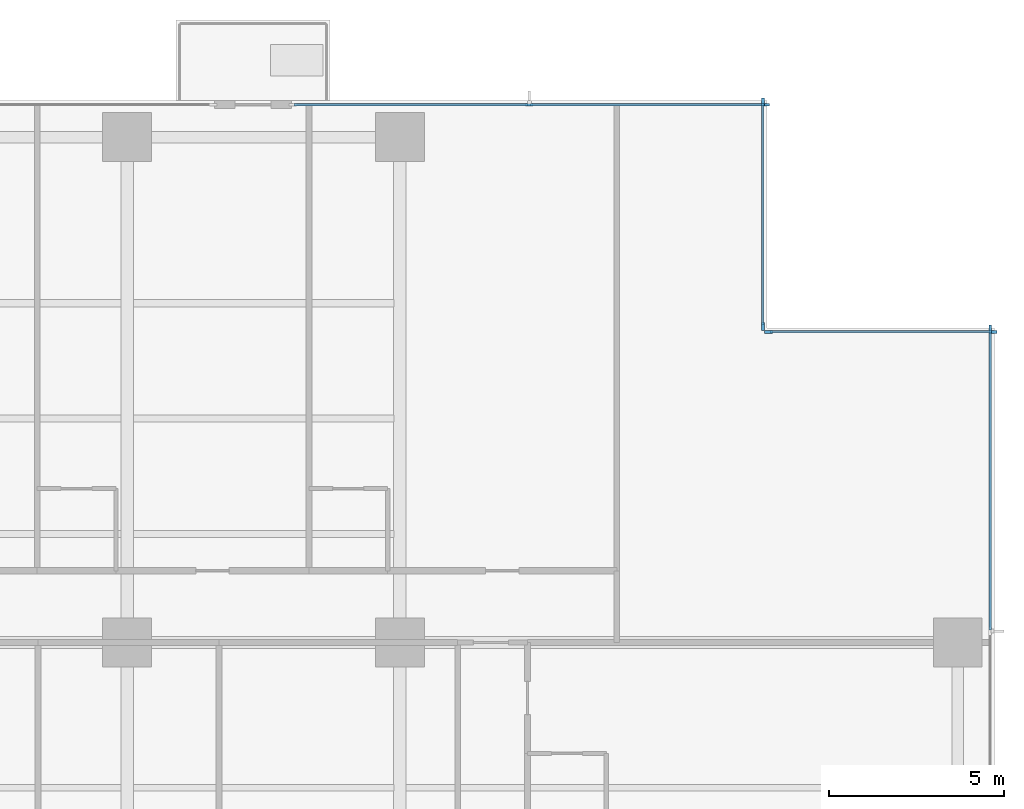
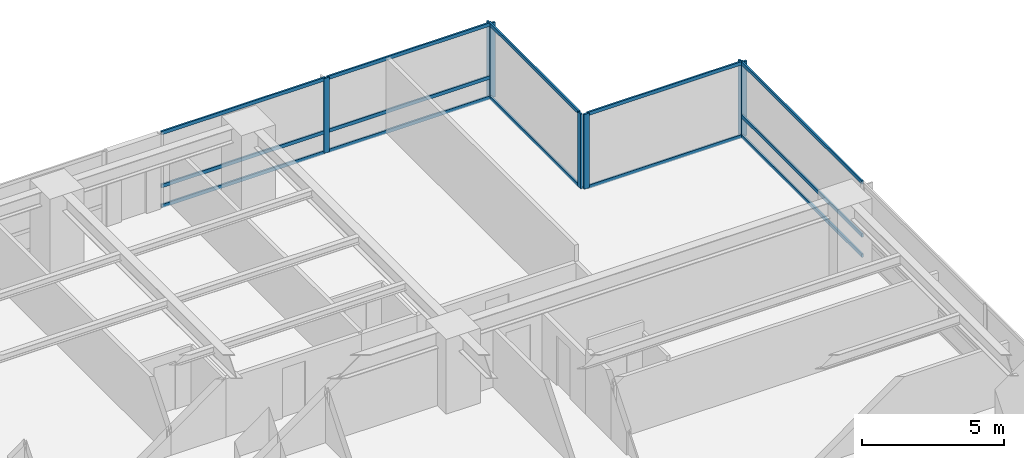
# One storey, part 5 of 17: 20 members, 4 elements without a shape of their own.
"""IFC4 building model written with IfcOpenShell, lengths in metres."""

from ifc_helpers import new_model, si_unit, direction, frame, origin, origin_2d, place, context, subcontext, project, spatial, rectangle, extrude, material, layer, layer_set, material_profile, profile_set, type_object, element, aggregate, save


model = new_model("IFC4")

# Units and contexts
model_context = context("Model", 3, precision=1e-05, world=origin(), true_north=direction((0.0, 1.0)))
body_context = subcontext(model_context, "Body", "Model", "MODEL_VIEW")
ifc_project = project(units=[si_unit("LENGTHUNIT", "METRE"), si_unit("AREAUNIT", "SQUARE_METRE"), si_unit("VOLUMEUNIT", "CUBIC_METRE"), si_unit("PLANEANGLEUNIT", "RADIAN"), si_unit("MASSUNIT", "GRAM", prefix="KILO")], contexts=[model_context])

# Site, building, storey
site_placement = place(None, origin())
site = spatial("IfcSite", under=ifc_project, at=site_placement, CompositionType="ELEMENT")
building_placement = place(site_placement, origin())
building = spatial("IfcBuilding", under=site, at=building_placement, Name="Qalmaran Belvedere Hotel", CompositionType="ELEMENT")
storey_placement = place(building_placement, frame((0.0, 0.0, 40.39990234375)))
storey = spatial("IfcBuildingStorey", under=building, at=storey_placement, Name="L09", CompositionType="ELEMENT", Elevation=40.39990234375)

# Curtain wall, member
ifc_material = material(Name="Anodised Bronze Aluminium", Category="aluminium")
ifc_layer = layer(ifc_material, 0.2099609375, Name="Anodised Bronze Aluminium")
ifc_layer_set = layer_set([ifc_layer], Name="Anodised Bronze Aluminium")
curtain_wall_type = type_object("IfcCurtainWallType", Name="CW2-TOWER-LOWER", PredefinedType="NOTDEFINED", material=ifc_layer_set)
curtain_wall_1_placement = place(storey_placement, origin())
curtain_wall_1 = element("IfcCurtainWall", 1, at=curtain_wall_1_placement, inside=storey, type_object=curtain_wall_type, Name="L09 Curtain Wall CW2", PredefinedType="NOTDEFINED")
ifc_material_profile_1 = material_profile(ifc_material, rectangle(XDim=0.074951171875, YDim=0.219970703125, at=origin_2d()), Name="CWM75X220")
ifc_profile_set_1 = profile_set([ifc_material_profile_1], Name="Anodised Bronze Aluminium")
member_type_1 = type_object("IfcMemberType", Name="CWM-75X220", PredefinedType="MULLION", material=ifc_profile_set_1)
member_1_placement = place(storey_placement, frame((61.679931640625, 41.96240234375, 0.0), z_axis=(0.0, 0.0, 1.0), x_axis=(-1.0, 0.0, 0.0)))
member_1 = element("IfcMember", 2, at=member_1_placement, type_object=member_type_1, Name="CW2 mullion 5", PredefinedType="MULLION", context=body_context, shape_type="SweptSolid", body=[
    extrude(rectangle(XDim=0.074951171875, YDim=0.219970703125, at=origin_2d()), origin(), (0.0, 0.0, 1.0), 3.22021484375),
])

# Curtain wall, members
curtain_wall_2_placement = place(storey_placement, origin())
curtain_wall_2 = element("IfcCurtainWall", 3, at=curtain_wall_2_placement, inside=storey, type_object=curtain_wall_type, Name="L09 Curtain Wall CW2", PredefinedType="NOTDEFINED")
member_2_placement = place(storey_placement, frame((61.762451171875, 41.8798828125, 0.0), z_axis=(0.0, 0.0, 1.0), x_axis=(0.0, -1.0, 0.0)))
member_2 = element("IfcMember", 4, at=member_2_placement, type_object=member_type_1, Name="CW2 mullion 1", PredefinedType="MULLION", context=body_context, shape_type="SweptSolid", body=[
    extrude(rectangle(XDim=0.074951171875, YDim=0.219970703125, at=origin_2d()), origin(), (0.0, 0.0, 1.0), 3.22021484375),
])
member_3_placement = place(storey_placement, frame((55.33740234375, 41.8798828125, 0.0), z_axis=(0.0, 0.0, 1.0), x_axis=(0.0, -1.0, 0.0)))
member_3 = element("IfcMember", 5, at=member_3_placement, type_object=member_type_1, Name="CW2 mullion 2", PredefinedType="MULLION", context=body_context, shape_type="SweptSolid", body=[
    extrude(rectangle(XDim=0.074951171875, YDim=0.219970703125, at=origin_2d()), origin(), (0.0, 0.0, 1.0), 3.22021484375),
])

curtain_wall_3_placement = place(storey_placement, origin())
curtain_wall_3 = element("IfcCurtainWall", 6, at=curtain_wall_3_placement, inside=storey, type_object=curtain_wall_type, Name="L09 Curtain Wall CW2", PredefinedType="NOTDEFINED")
member_4_placement = place(storey_placement, frame((55.179931640625, 42.03759765625, 0.0), z_axis=(0.0, 0.0, 1.0), x_axis=(-1.0, 0.0, 0.0)))
member_4 = element("IfcMember", 7, at=member_4_placement, type_object=member_type_1, Name="CW2 mullion 1", PredefinedType="MULLION", context=body_context, shape_type="SweptSolid", body=[
    extrude(rectangle(XDim=0.074951171875, YDim=0.219970703125, at=origin_2d()), origin(), (0.0, 0.0, 1.0), 3.22021484375),
])
member_5_placement = place(storey_placement, frame((55.179931640625, 48.46240234375, 0.0), z_axis=(0.0, 0.0, 1.0), x_axis=(-1.0, 0.0, 0.0)))
member_5 = element("IfcMember", 8, at=member_5_placement, type_object=member_type_1, Name="CW2 mullion 2", PredefinedType="MULLION", context=body_context, shape_type="SweptSolid", body=[
    extrude(rectangle(XDim=0.074951171875, YDim=0.219970703125, at=origin_2d()), origin(), (0.0, 0.0, 1.0), 3.22021484375),
])

curtain_wall_4_placement = place(storey_placement, origin())
curtain_wall_4 = element("IfcCurtainWall", 9, at=curtain_wall_4_placement, inside=storey, type_object=curtain_wall_type, Name="L09 Curtain Wall CW2", PredefinedType="NOTDEFINED")
member_6_placement = place(storey_placement, frame((55.262451171875, 48.3798828125, 0.0), z_axis=(0.0, 0.0, 1.0), x_axis=(0.0, -1.0, 0.0)))
member_6 = element("IfcMember", 10, at=member_6_placement, type_object=member_type_1, Name="CW2 mullion 1", PredefinedType="MULLION", context=body_context, shape_type="SweptSolid", body=[
    extrude(rectangle(XDim=0.074951171875, YDim=0.219970703125, at=origin_2d()), origin(), (0.0, 0.0, 1.0), 3.22021484375),
])
member_7_placement = place(storey_placement, frame((48.5, 48.3798828125, 0.0), z_axis=(0.0, 0.0, 1.0), x_axis=(0.0, -1.0, 0.0)))
member_7 = element("IfcMember", 11, at=member_7_placement, type_object=member_type_1, Name="CW2 mullion 2", PredefinedType="MULLION", context=body_context, shape_type="SweptSolid", body=[
    extrude(rectangle(XDim=0.074951171875, YDim=0.219970703125, at=origin_2d()), origin(), (0.0, 0.0, 1.0), 3.22021484375),
])

# Member
ifc_material_profile_2 = material_profile(ifc_material, rectangle(XDim=0.070068359375, YDim=0.14990234375, at=origin_2d()), Name="CWT70X150")
ifc_profile_set_2 = profile_set([ifc_material_profile_2], Name="Anodised Bronze Aluminium")
member_type_2 = type_object("IfcMemberType", Name="CWT-70X150", PredefinedType="USERDEFINED", material=ifc_profile_set_2)
member_8_placement = place(storey_placement, frame((61.679931640625, 33.362548828125, 0.03515625), z_axis=(0.0, 1.0, 0.0), x_axis=(-1.0, 0.0, 0.0)))
member_8 = element("IfcMember", 12, at=member_8_placement, type_object=member_type_2, Name="CW2 transom 4.1", ObjectType="TRANSOM", PredefinedType="USERDEFINED", context=body_context, shape_type="SweptSolid", body=[
    extrude(rectangle(XDim=0.070068359375, YDim=0.14990234375, at=origin_2d()), origin(), (0.0, 0.0, 1.0), 8.5625),
])

member_9_placement = place(storey_placement, frame((61.679931640625, 33.362548828125, 0.901611328125), z_axis=(0.0, 1.0, 0.0), x_axis=(-1.0, 0.0, 0.0)))
member_9 = element("IfcMember", 13, at=member_9_placement, type_object=member_type_2, Name="CW2 transom 4.2", ObjectType="TRANSOM", PredefinedType="USERDEFINED", context=body_context, shape_type="SweptSolid", body=[
    extrude(rectangle(XDim=0.070068359375, YDim=0.14990234375, at=origin_2d()), origin(), (0.0, 0.0, 1.0), 8.5625),
])

member_10_placement = place(storey_placement, frame((61.679931640625, 33.362548828125, 3.18505859375), z_axis=(0.0, 1.0, 0.0), x_axis=(-1.0, 0.0, 0.0)))
member_10 = element("IfcMember", 14, at=member_10_placement, type_object=member_type_2, Name="CW2 transom 4.3", ObjectType="TRANSOM", PredefinedType="USERDEFINED", context=body_context, shape_type="SweptSolid", body=[
    extrude(rectangle(XDim=0.070068359375, YDim=0.14990234375, at=origin_2d()), origin(), (0.0, 0.0, 1.0), 8.5625),
])

aggregate(curtain_wall_1, [member_1, member_8, member_9, member_10])

member_11_placement = place(storey_placement, frame((61.72509765625, 41.8798828125, 0.03515625), z_axis=(-1.0, 0.0, 0.0), x_axis=(0.0, -1.0, 0.0)))
member_11 = element("IfcMember", 15, at=member_11_placement, type_object=member_type_2, Name="CW2 transom 1.1", ObjectType="TRANSOM", PredefinedType="USERDEFINED", context=body_context, shape_type="SweptSolid", body=[
    extrude(rectangle(XDim=0.070068359375, YDim=0.14990234375, at=origin_2d()), origin(), (0.0, 0.0, 1.0), 6.35009765625),
])

member_12_placement = place(storey_placement, frame((61.72509765625, 41.8798828125, 3.18505859375), z_axis=(-1.0, 0.0, 0.0), x_axis=(0.0, -1.0, 0.0)))
member_12 = element("IfcMember", 16, at=member_12_placement, type_object=member_type_2, Name="CW2 transom 1.2", ObjectType="TRANSOM", PredefinedType="USERDEFINED", context=body_context, shape_type="SweptSolid", body=[
    extrude(rectangle(XDim=0.070068359375, YDim=0.14990234375, at=origin_2d()), origin(), (0.0, 0.0, 1.0), 6.35009765625),
])

aggregate(curtain_wall_2, [member_2, member_3, member_11, member_12])

member_13_placement = place(storey_placement, frame((55.179931640625, 42.074951171875, 0.03515625), z_axis=(0.0, 1.0, 0.0), x_axis=(-1.0, 0.0, 0.0)))
member_13 = element("IfcMember", 17, at=member_13_placement, type_object=member_type_2, Name="CW2 transom 1.1", ObjectType="TRANSOM", PredefinedType="USERDEFINED", context=body_context, shape_type="SweptSolid", body=[
    extrude(rectangle(XDim=0.070068359375, YDim=0.14990234375, at=origin_2d()), origin(), (0.0, 0.0, 1.0), 6.35009765625),
])

member_14_placement = place(storey_placement, frame((55.179931640625, 42.074951171875, 3.18505859375), z_axis=(0.0, 1.0, 0.0), x_axis=(-1.0, 0.0, 0.0)))
member_14 = element("IfcMember", 18, at=member_14_placement, type_object=member_type_2, Name="CW2 transom 1.2", ObjectType="TRANSOM", PredefinedType="USERDEFINED", context=body_context, shape_type="SweptSolid", body=[
    extrude(rectangle(XDim=0.070068359375, YDim=0.14990234375, at=origin_2d()), origin(), (0.0, 0.0, 1.0), 6.35009765625),
])

aggregate(curtain_wall_3, [member_4, member_5, member_13, member_14])

member_15_placement = place(storey_placement, frame((55.22509765625, 48.3798828125, 0.03515625), z_axis=(-1.0, 0.0, 0.0), x_axis=(0.0, -1.0, 0.0)))
member_15 = element("IfcMember", 19, at=member_15_placement, type_object=member_type_2, Name="CW2 transom 1.1", ObjectType="TRANSOM", PredefinedType="USERDEFINED", context=body_context, shape_type="SweptSolid", body=[
    extrude(rectangle(XDim=0.070068359375, YDim=0.14990234375, at=origin_2d()), origin(), (0.0, 0.0, 1.0), 6.6875),
])

member_16_placement = place(storey_placement, frame((55.22509765625, 48.3798828125, 0.901611328125), z_axis=(-1.0, 0.0, 0.0), x_axis=(0.0, -1.0, 0.0)))
member_16 = element("IfcMember", 20, at=member_16_placement, type_object=member_type_2, Name="CW2 transom 1.2", ObjectType="TRANSOM", PredefinedType="USERDEFINED", context=body_context, shape_type="SweptSolid", body=[
    extrude(rectangle(XDim=0.070068359375, YDim=0.14990234375, at=origin_2d()), origin(), (0.0, 0.0, 1.0), 6.6875),
])

member_17_placement = place(storey_placement, frame((55.22509765625, 48.3798828125, 3.18505859375), z_axis=(-1.0, 0.0, 0.0), x_axis=(0.0, -1.0, 0.0)))
member_17 = element("IfcMember", 21, at=member_17_placement, type_object=member_type_2, Name="CW2 transom 1.3", ObjectType="TRANSOM", PredefinedType="USERDEFINED", context=body_context, shape_type="SweptSolid", body=[
    extrude(rectangle(XDim=0.070068359375, YDim=0.14990234375, at=origin_2d()), origin(), (0.0, 0.0, 1.0), 6.6875),
])

member_18_placement = place(storey_placement, frame((48.46240234375, 48.3798828125, 0.03515625), z_axis=(-1.0, 0.0, 0.0), x_axis=(0.0, -1.0, 0.0)))
member_18 = element("IfcMember", 22, at=member_18_placement, type_object=member_type_2, Name="CW2 transom 2.1", ObjectType="TRANSOM", PredefinedType="USERDEFINED", context=body_context, shape_type="SweptSolid", body=[
    extrude(rectangle(XDim=0.070068359375, YDim=0.14990234375, at=origin_2d()), origin(), (0.0, 0.0, 1.0), 6.6875),
])

member_19_placement = place(storey_placement, frame((48.46240234375, 48.3798828125, 0.901611328125), z_axis=(-1.0, 0.0, 0.0), x_axis=(0.0, -1.0, 0.0)))
member_19 = element("IfcMember", 23, at=member_19_placement, type_object=member_type_2, Name="CW2 transom 2.2", ObjectType="TRANSOM", PredefinedType="USERDEFINED", context=body_context, shape_type="SweptSolid", body=[
    extrude(rectangle(XDim=0.070068359375, YDim=0.14990234375, at=origin_2d()), origin(), (0.0, 0.0, 1.0), 6.6875),
])

member_20_placement = place(storey_placement, frame((48.46240234375, 48.3798828125, 3.18505859375), z_axis=(-1.0, 0.0, 0.0), x_axis=(0.0, -1.0, 0.0)))
member_20 = element("IfcMember", 24, at=member_20_placement, type_object=member_type_2, Name="CW2 transom 2.3", ObjectType="TRANSOM", PredefinedType="USERDEFINED", context=body_context, shape_type="SweptSolid", body=[
    extrude(rectangle(XDim=0.070068359375, YDim=0.14990234375, at=origin_2d()), origin(), (0.0, 0.0, 1.0), 6.6875),
])

aggregate(curtain_wall_4, [member_6, member_7, member_15, member_16, member_17, member_18, member_19, member_20])

save(model, "model.ifc")
